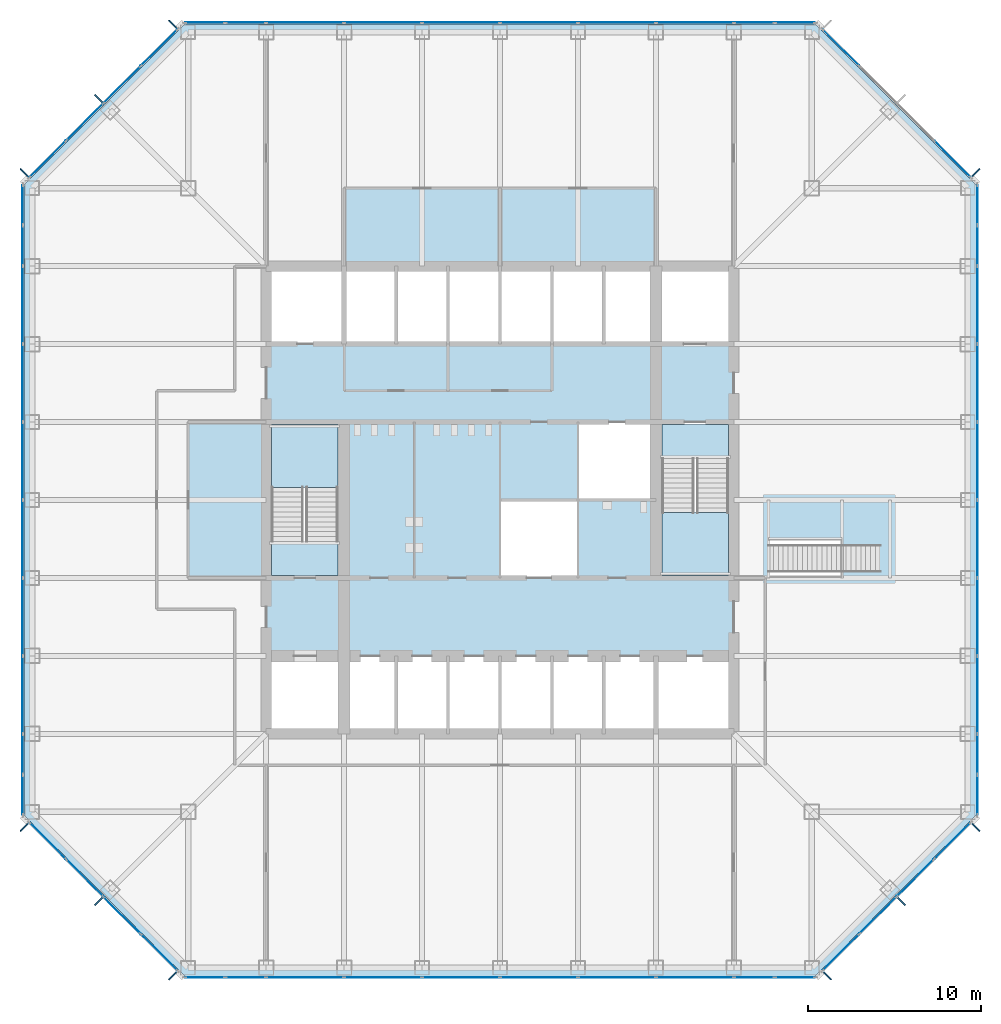
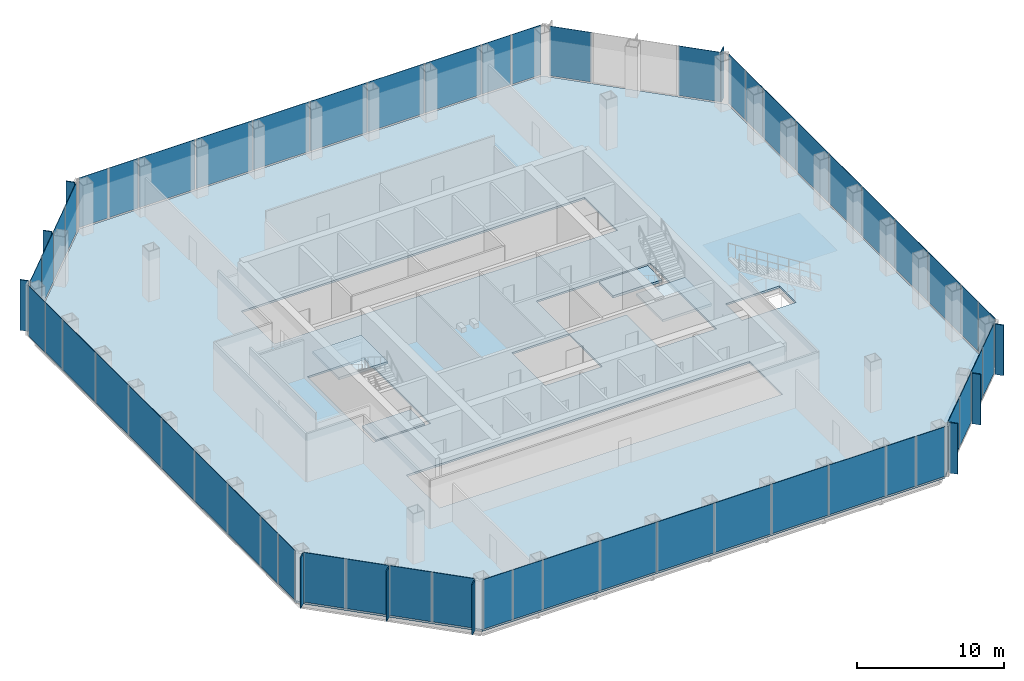
# One storey, part 7 of 12: 64 plates, 5 slabs, 10 elements without a shape of their own.
"""IFC4 building model written with IfcOpenShell, lengths in metres."""

from ifc_helpers import new_model, si_unit, direction, frame, origin, origin_2d, place, context, subcontext, project, spatial, polyline, rectangle, outline, extrude, material, layer, layer_set, type_object, element, aggregate, save


model = new_model("IFC4")

# Units and contexts
model_context = context("Model", 3, precision=1e-05, world=origin(), true_north=direction((0.0, 1.0)))
body_context = subcontext(model_context, "Body", "Model", "MODEL_VIEW")
ifc_project = project(units=[si_unit("LENGTHUNIT", "METRE"), si_unit("AREAUNIT", "SQUARE_METRE"), si_unit("VOLUMEUNIT", "CUBIC_METRE"), si_unit("PLANEANGLEUNIT", "RADIAN"), si_unit("MASSUNIT", "GRAM", prefix="KILO")], contexts=[model_context])

# Site, building, storey
site_placement = place(None, origin())
site = spatial("IfcSite", under=ifc_project, at=site_placement, CompositionType="ELEMENT")
building_placement = place(site_placement, origin())
building = spatial("IfcBuilding", under=site, at=building_placement, Name="Corais Broadcast Tower", CompositionType="ELEMENT")
storey_placement = place(building_placement, frame((0.0, 0.0, 37.39990234375)))
storey = spatial("IfcBuildingStorey", under=building, at=storey_placement, Name="L07", CompositionType="ELEMENT", Elevation=37.39990234375)

# Curtain wall, plates
ifc_material_1 = material(Name="Aluminium and glass", Category="aluminium")
curtain_wall_type = type_object("IfcCurtainWallType", Name="Newsroom clear-glass curtain wall CW7", PredefinedType="NOTDEFINED", material=ifc_material_1)
curtain_wall_1_placement = place(storey_placement, origin())
curtain_wall_1 = element("IfcCurtainWall", 1, at=curtain_wall_1_placement, inside=storey, type_object=curtain_wall_type, Name="CW7 curtain wall L07 1", PredefinedType="NOTDEFINED")
ifc_material_2 = material(Name="Clear low-iron laminated glass", Category="glass")
ifc_layer_1 = layer(ifc_material_2, 0.032958984375)
ifc_layer_set_1 = layer_set([ifc_layer_1], Name="Clear low-iron laminated glass")
plate_type_1 = type_object("IfcPlateType", Name="Clear glass panel CW7", PredefinedType="CURTAIN_PANEL", material=ifc_layer_set_1)
plate_1_placement = place(storey_placement, frame((7.330322265625, 0.891845703125, 0.06494140625), z_axis=(0.0, 0.0, 1.0), x_axis=(-0.707106781187, 0.707106781187, 0.0)))
plate_1 = element("IfcPlate", 2, at=plate_1_placement, type_object=plate_type_1, Name="CW7 panel 1", PredefinedType="CURTAIN_PANEL", context=body_context, shape_type="SweptSolid", body=[
    extrude(rectangle(XDim=2.9482421875, YDim=0.032958984375, at=origin_2d()), origin(), (0.0, 0.0, 1.0), 4.135009765625),
])
plate_2_placement = place(storey_placement, frame((3.0341796875, 5.18798828125, 0.06494140625), z_axis=(0.0, 0.0, 1.0), x_axis=(-0.707106781187, 0.707106781187, 0.0)))
plate_2 = element("IfcPlate", 3, at=plate_2_placement, type_object=plate_type_1, Name="CW7 panel 3", PredefinedType="CURTAIN_PANEL", context=body_context, shape_type="SweptSolid", body=[
    extrude(rectangle(XDim=2.98095703125, YDim=0.032958984375, at=origin_2d()), origin(), (0.0, 0.0, 1.0), 4.135009765625),
])

curtain_wall_2_placement = place(storey_placement, origin())
curtain_wall_2 = element("IfcCurtainWall", 4, at=curtain_wall_2_placement, inside=storey, type_object=curtain_wall_type, Name="CW7 curtain wall L07 2", PredefinedType="NOTDEFINED")
plate_3_placement = place(storey_placement, frame((-0.550048828125, 9.970458984375, 0.06494140625), z_axis=(0.0, 0.0, 1.0), x_axis=(0.0, 1.0, 0.0)))
plate_3 = element("IfcPlate", 5, at=plate_3_placement, type_object=plate_type_1, Name="CW7 panel 1", PredefinedType="CURTAIN_PANEL", context=body_context, shape_type="SweptSolid", body=[
    extrude(rectangle(XDim=2.266357421875, YDim=0.032958984375, at=origin_2d()), origin(), (0.0, 0.0, 1.0), 4.135009765625),
])
plate_4_placement = place(storey_placement, frame((-0.550048828125, 15.75, 0.06494140625), z_axis=(0.0, 0.0, 1.0), x_axis=(0.0, 1.0, 0.0)))
plate_4 = element("IfcPlate", 6, at=plate_4_placement, type_object=plate_type_1, Name="CW7 panel 3", PredefinedType="CURTAIN_PANEL", context=body_context, shape_type="SweptSolid", body=[
    extrude(rectangle(XDim=4.43505859375, YDim=0.032958984375, at=origin_2d()), origin(), (0.0, 0.0, 1.0), 4.135009765625),
])
plate_5_placement = place(storey_placement, frame((-0.550048828125, 24.75, 0.06494140625), z_axis=(0.0, 0.0, 1.0), x_axis=(0.0, 1.0, 0.0)))
plate_5 = element("IfcPlate", 7, at=plate_5_placement, type_object=plate_type_1, Name="CW7 panel 5", PredefinedType="CURTAIN_PANEL", context=body_context, shape_type="SweptSolid", body=[
    extrude(rectangle(XDim=4.43505859375, YDim=0.032958984375, at=origin_2d()), origin(), (0.0, 0.0, 1.0), 4.135009765625),
])
plate_6_placement = place(storey_placement, frame((-0.550048828125, 33.75, 0.06494140625), z_axis=(0.0, 0.0, 1.0), x_axis=(0.0, 1.0, 0.0)))
plate_6 = element("IfcPlate", 8, at=plate_6_placement, type_object=plate_type_1, Name="CW7 panel 7", PredefinedType="CURTAIN_PANEL", context=body_context, shape_type="SweptSolid", body=[
    extrude(rectangle(XDim=4.43505859375, YDim=0.032958984375, at=origin_2d()), origin(), (0.0, 0.0, 1.0), 4.135009765625),
])
plate_7_placement = place(storey_placement, frame((-0.550048828125, 41.681884765625, 0.06494140625), z_axis=(0.0, 0.0, 1.0), x_axis=(0.0, 1.0, 0.0)))
plate_7 = element("IfcPlate", 9, at=plate_7_placement, type_object=plate_type_1, Name="CW7 panel 9", PredefinedType="CURTAIN_PANEL", context=body_context, shape_type="SweptSolid", body=[
    extrude(rectangle(XDim=2.298828125, YDim=0.032958984375, at=origin_2d()), origin(), (0.0, 0.0, 1.0), 4.135009765625),
])

curtain_wall_3_placement = place(storey_placement, origin())
curtain_wall_3 = element("IfcCurtainWall", 10, at=curtain_wall_3_placement, inside=storey, type_object=curtain_wall_type, Name="CW7 curtain wall L07 3", PredefinedType="NOTDEFINED")
plate_8_placement = place(storey_placement, frame((0.891845703125, 46.669677734375, 0.06494140625), z_axis=(0.0, 0.0, 1.0), x_axis=(0.707106781187, 0.707106781187, 0.0)))
plate_8 = element("IfcPlate", 11, at=plate_8_placement, type_object=plate_type_1, Name="CW7 panel 1", PredefinedType="CURTAIN_PANEL", context=body_context, shape_type="SweptSolid", body=[
    extrude(rectangle(XDim=2.9482421875, YDim=0.032958984375, at=origin_2d()), origin(), (0.0, 0.0, 1.0), 4.135009765625),
])
plate_9_placement = place(storey_placement, frame((5.18798828125, 50.9658203125, 0.06494140625), z_axis=(0.0, 0.0, 1.0), x_axis=(0.707106781187, 0.707106781187, 0.0)))
plate_9 = element("IfcPlate", 12, at=plate_9_placement, type_object=plate_type_1, Name="CW7 panel 3", PredefinedType="CURTAIN_PANEL", context=body_context, shape_type="SweptSolid", body=[
    extrude(rectangle(XDim=2.98095703125, YDim=0.032958984375, at=origin_2d()), origin(), (0.0, 0.0, 1.0), 4.135009765625),
])

curtain_wall_4_placement = place(storey_placement, origin())
curtain_wall_4 = element("IfcCurtainWall", 13, at=curtain_wall_4_placement, inside=storey, type_object=curtain_wall_type, Name="CW7 curtain wall L07 4", PredefinedType="NOTDEFINED")
plate_10_placement = place(storey_placement, frame((9.970458984375, 54.550048828125, 0.06494140625), z_axis=(0.0, 0.0, 1.0), x_axis=(1.0, 0.0, 0.0)))
plate_10 = element("IfcPlate", 14, at=plate_10_placement, type_object=plate_type_1, Name="CW7 panel 1", PredefinedType="CURTAIN_PANEL", context=body_context, shape_type="SweptSolid", body=[
    extrude(rectangle(XDim=2.266357421875, YDim=0.032958984375, at=origin_2d()), origin(), (0.0, 0.0, 1.0), 4.135009765625),
])
plate_11_placement = place(storey_placement, frame((15.75, 54.550048828125, 0.06494140625), z_axis=(0.0, 0.0, 1.0), x_axis=(1.0, 0.0, 0.0)))
plate_11 = element("IfcPlate", 15, at=plate_11_placement, type_object=plate_type_1, Name="CW7 panel 3", PredefinedType="CURTAIN_PANEL", context=body_context, shape_type="SweptSolid", body=[
    extrude(rectangle(XDim=4.43505859375, YDim=0.032958984375, at=origin_2d()), origin(), (0.0, 0.0, 1.0), 4.135009765625),
])
plate_12_placement = place(storey_placement, frame((24.75, 54.550048828125, 0.06494140625), z_axis=(0.0, 0.0, 1.0), x_axis=(1.0, 0.0, 0.0)))
plate_12 = element("IfcPlate", 16, at=plate_12_placement, type_object=plate_type_1, Name="CW7 panel 5", PredefinedType="CURTAIN_PANEL", context=body_context, shape_type="SweptSolid", body=[
    extrude(rectangle(XDim=4.43505859375, YDim=0.032958984375, at=origin_2d()), origin(), (0.0, 0.0, 1.0), 4.135009765625),
])
plate_13_placement = place(storey_placement, frame((33.75, 54.550048828125, 0.06494140625), z_axis=(0.0, 0.0, 1.0), x_axis=(1.0, 0.0, 0.0)))
plate_13 = element("IfcPlate", 17, at=plate_13_placement, type_object=plate_type_1, Name="CW7 panel 7", PredefinedType="CURTAIN_PANEL", context=body_context, shape_type="SweptSolid", body=[
    extrude(rectangle(XDim=4.43505859375, YDim=0.032958984375, at=origin_2d()), origin(), (0.0, 0.0, 1.0), 4.135009765625),
])
plate_14_placement = place(storey_placement, frame((41.681884765625, 54.550048828125, 0.06494140625), z_axis=(0.0, 0.0, 1.0), x_axis=(1.0, 0.0, 0.0)))
plate_14 = element("IfcPlate", 18, at=plate_14_placement, type_object=plate_type_1, Name="CW7 panel 9", PredefinedType="CURTAIN_PANEL", context=body_context, shape_type="SweptSolid", body=[
    extrude(rectangle(XDim=2.298828125, YDim=0.032958984375, at=origin_2d()), origin(), (0.0, 0.0, 1.0), 4.135009765625),
])

# Curtain wall, plate
curtain_wall_5_placement = place(storey_placement, origin())
curtain_wall_5 = element("IfcCurtainWall", 19, at=curtain_wall_5_placement, inside=storey, type_object=curtain_wall_type, Name="CW7 curtain wall L07 5", PredefinedType="NOTDEFINED")
plate_15_placement = place(storey_placement, frame((46.669677734375, 53.108154296875, 0.06494140625), z_axis=(0.0, 0.0, 1.0), x_axis=(0.707106781187, -0.707106781187, 0.0)))
plate_15 = element("IfcPlate", 20, at=plate_15_placement, type_object=plate_type_1, Name="CW7 panel 1", PredefinedType="CURTAIN_PANEL", context=body_context, shape_type="SweptSolid", body=[
    extrude(rectangle(XDim=2.9482421875, YDim=0.032958984375, at=origin_2d()), origin(), (0.0, 0.0, 1.0), 4.135009765625),
])

# Curtain wall, plates
curtain_wall_6_placement = place(storey_placement, origin())
curtain_wall_6 = element("IfcCurtainWall", 21, at=curtain_wall_6_placement, inside=storey, type_object=curtain_wall_type, Name="CW7 curtain wall L07 6", PredefinedType="NOTDEFINED")
plate_16_placement = place(storey_placement, frame((54.550048828125, 44.029541015625, 0.06494140625), z_axis=(0.0, 0.0, 1.0), x_axis=(0.0, -1.0, 0.0)))
plate_16 = element("IfcPlate", 22, at=plate_16_placement, type_object=plate_type_1, Name="CW7 panel 1", PredefinedType="CURTAIN_PANEL", context=body_context, shape_type="SweptSolid", body=[
    extrude(rectangle(XDim=2.266357421875, YDim=0.032958984375, at=origin_2d()), origin(), (0.0, 0.0, 1.0), 4.135009765625),
])
plate_17_placement = place(storey_placement, frame((54.550048828125, 38.25, 0.06494140625), z_axis=(0.0, 0.0, 1.0), x_axis=(0.0, -1.0, 0.0)))
plate_17 = element("IfcPlate", 23, at=plate_17_placement, type_object=plate_type_1, Name="CW7 panel 3", PredefinedType="CURTAIN_PANEL", context=body_context, shape_type="SweptSolid", body=[
    extrude(rectangle(XDim=4.43505859375, YDim=0.032958984375, at=origin_2d()), origin(), (0.0, 0.0, 1.0), 4.135009765625),
])
plate_18_placement = place(storey_placement, frame((54.550048828125, 29.25, 0.06494140625), z_axis=(0.0, 0.0, 1.0), x_axis=(0.0, -1.0, 0.0)))
plate_18 = element("IfcPlate", 24, at=plate_18_placement, type_object=plate_type_1, Name="CW7 panel 5", PredefinedType="CURTAIN_PANEL", context=body_context, shape_type="SweptSolid", body=[
    extrude(rectangle(XDim=4.43505859375, YDim=0.032958984375, at=origin_2d()), origin(), (0.0, 0.0, 1.0), 4.135009765625),
])
plate_19_placement = place(storey_placement, frame((54.550048828125, 20.25, 0.06494140625), z_axis=(0.0, 0.0, 1.0), x_axis=(0.0, -1.0, 0.0)))
plate_19 = element("IfcPlate", 25, at=plate_19_placement, type_object=plate_type_1, Name="CW7 panel 7", PredefinedType="CURTAIN_PANEL", context=body_context, shape_type="SweptSolid", body=[
    extrude(rectangle(XDim=4.43505859375, YDim=0.032958984375, at=origin_2d()), origin(), (0.0, 0.0, 1.0), 4.135009765625),
])
plate_20_placement = place(storey_placement, frame((54.550048828125, 12.318115234375, 0.06494140625), z_axis=(0.0, 0.0, 1.0), x_axis=(0.0, -1.0, 0.0)))
plate_20 = element("IfcPlate", 26, at=plate_20_placement, type_object=plate_type_1, Name="CW7 panel 9", PredefinedType="CURTAIN_PANEL", context=body_context, shape_type="SweptSolid", body=[
    extrude(rectangle(XDim=2.298828125, YDim=0.032958984375, at=origin_2d()), origin(), (0.0, 0.0, 1.0), 4.135009765625),
])

curtain_wall_7_placement = place(storey_placement, origin())
curtain_wall_7 = element("IfcCurtainWall", 27, at=curtain_wall_7_placement, inside=storey, type_object=curtain_wall_type, Name="CW7 curtain wall L07 7", PredefinedType="NOTDEFINED")
plate_21_placement = place(storey_placement, frame((53.108154296875, 7.330322265625, 0.06494140625), z_axis=(0.0, 0.0, 1.0), x_axis=(-0.707106781187, -0.707106781187, 0.0)))
plate_21 = element("IfcPlate", 28, at=plate_21_placement, type_object=plate_type_1, Name="CW7 panel 1", PredefinedType="CURTAIN_PANEL", context=body_context, shape_type="SweptSolid", body=[
    extrude(rectangle(XDim=2.9482421875, YDim=0.032958984375, at=origin_2d()), origin(), (0.0, 0.0, 1.0), 4.135009765625),
])
plate_22_placement = place(storey_placement, frame((48.81201171875, 3.0341796875, 0.06494140625), z_axis=(0.0, 0.0, 1.0), x_axis=(-0.707106781187, -0.707106781187, 0.0)))
plate_22 = element("IfcPlate", 29, at=plate_22_placement, type_object=plate_type_1, Name="CW7 panel 3", PredefinedType="CURTAIN_PANEL", context=body_context, shape_type="SweptSolid", body=[
    extrude(rectangle(XDim=2.98095703125, YDim=0.032958984375, at=origin_2d()), origin(), (0.0, 0.0, 1.0), 4.135009765625),
])

curtain_wall_8_placement = place(storey_placement, origin())
curtain_wall_8 = element("IfcCurtainWall", 30, at=curtain_wall_8_placement, inside=storey, type_object=curtain_wall_type, Name="CW7 curtain wall L07 8", PredefinedType="NOTDEFINED")
plate_23_placement = place(storey_placement, frame((44.029541015625, -0.550048828125, 0.06494140625), z_axis=(0.0, 0.0, 1.0), x_axis=(-1.0, 0.0, 0.0)))
plate_23 = element("IfcPlate", 31, at=plate_23_placement, type_object=plate_type_1, Name="CW7 panel 1", PredefinedType="CURTAIN_PANEL", context=body_context, shape_type="SweptSolid", body=[
    extrude(rectangle(XDim=2.266357421875, YDim=0.032958984375, at=origin_2d()), origin(), (0.0, 0.0, 1.0), 4.135009765625),
])
plate_24_placement = place(storey_placement, frame((38.25, -0.550048828125, 0.06494140625), z_axis=(0.0, 0.0, 1.0), x_axis=(-1.0, 0.0, 0.0)))
plate_24 = element("IfcPlate", 32, at=plate_24_placement, type_object=plate_type_1, Name="CW7 panel 3", PredefinedType="CURTAIN_PANEL", context=body_context, shape_type="SweptSolid", body=[
    extrude(rectangle(XDim=4.43505859375, YDim=0.032958984375, at=origin_2d()), origin(), (0.0, 0.0, 1.0), 4.135009765625),
])
plate_25_placement = place(storey_placement, frame((29.25, -0.550048828125, 0.06494140625), z_axis=(0.0, 0.0, 1.0), x_axis=(-1.0, 0.0, 0.0)))
plate_25 = element("IfcPlate", 33, at=plate_25_placement, type_object=plate_type_1, Name="CW7 panel 5", PredefinedType="CURTAIN_PANEL", context=body_context, shape_type="SweptSolid", body=[
    extrude(rectangle(XDim=4.43505859375, YDim=0.032958984375, at=origin_2d()), origin(), (0.0, 0.0, 1.0), 4.135009765625),
])
plate_26_placement = place(storey_placement, frame((20.25, -0.550048828125, 0.06494140625), z_axis=(0.0, 0.0, 1.0), x_axis=(-1.0, 0.0, 0.0)))
plate_26 = element("IfcPlate", 34, at=plate_26_placement, type_object=plate_type_1, Name="CW7 panel 7", PredefinedType="CURTAIN_PANEL", context=body_context, shape_type="SweptSolid", body=[
    extrude(rectangle(XDim=4.43505859375, YDim=0.032958984375, at=origin_2d()), origin(), (0.0, 0.0, 1.0), 4.135009765625),
])
plate_27_placement = place(storey_placement, frame((12.318115234375, -0.550048828125, 0.06494140625), z_axis=(0.0, 0.0, 1.0), x_axis=(-1.0, 0.0, 0.0)))
plate_27 = element("IfcPlate", 35, at=plate_27_placement, type_object=plate_type_1, Name="CW7 panel 9", PredefinedType="CURTAIN_PANEL", context=body_context, shape_type="SweptSolid", body=[
    extrude(rectangle(XDim=2.298828125, YDim=0.032958984375, at=origin_2d()), origin(), (0.0, 0.0, 1.0), 4.135009765625),
])

# Slab
ifc_material_3 = material(Name="Concrete C30/37", Category="concrete")
ifc_layer_2 = layer(ifc_material_3, 0.159912109375)
ifc_layer_set_2 = layer_set([ifc_layer_2], Name="Concrete C30/37")
slab_type_1 = type_object("IfcSlabType", Name="Composite floor slab 160", PredefinedType="FLOOR", material=ifc_layer_set_2)
slab_1_placement = place(storey_placement, frame((0.0, 0.0, -0.159912109375)))
element("IfcSlab", 36, at=slab_1_placement, inside=storey, type_object=slab_type_1, Name="S160 floor slab L07", PredefinedType="FLOOR", context=body_context, shape_type="SweptSolid", body=[
    extrude(outline(polyline([(8.80126953125, -0.47998046875), (-0.47998046875, 8.80126953125), (-0.47998046875, 45.19873046875), (8.80126953125, 54.47998046875), (45.19873046875, 54.47998046875), (54.47998046875, 45.19873046875), (54.47998046875, 8.80126953125), (45.19873046875, -0.47998046875), (8.80126953125, -0.47998046875)]), holes=[polyline([(13.5, 18.0), (40.5, 18.0), (40.5, 13.5), (13.5, 13.5), (13.5, 18.0)]), polyline([(18.0, 22.5), (13.5, 22.5), (13.5, 31.5), (18.0, 31.5), (18.0, 22.5)]), polyline([(13.5, 40.5), (40.5, 40.5), (40.5, 36.0), (13.5, 36.0), (13.5, 40.5)]), polyline([(31.5, 22.5), (27.0, 22.5), (27.0, 27.0), (31.4951171875, 27.0), (31.4951171875, 27.0048828125), (31.5, 27.0048828125), (31.5, 31.5), (40.5, 31.5), (40.5, 22.5), (36.0, 22.5), (36.0, 27.0), (31.5048828125, 27.0), (31.5048828125, 26.9951171875), (31.5, 26.9951171875), (31.5, 22.5)]), polyline([(42.5, 22.5), (42.5, 24.75), (46.75, 24.75), (46.75, 22.5), (42.5, 22.5)])]), origin(), (0.0, 0.0, 1.0), 0.159912109375),
])

# Plate
ifc_material_4 = material(Name="Clear laminated glass", Category="glass")
ifc_layer_3 = layer(ifc_material_4, 0.037109375)
ifc_layer_set_3 = layer_set([ifc_layer_3], Name="Clear laminated glass")
plate_type_2 = type_object("IfcPlateType", Name="Operable glass panel CW7", PredefinedType="CURTAIN_PANEL", material=ifc_layer_set_3)
plate_28_placement = place(storey_placement, frame((5.18798828125, 3.0341796875, 0.06494140625), z_axis=(0.0, 0.0, 1.0), x_axis=(-0.707106781187, 0.707106781187, 0.0)))
plate_28 = element("IfcPlate", 37, at=plate_28_placement, type_object=plate_type_2, Name="CW7 operable panel 2", PredefinedType="CURTAIN_PANEL", context=body_context, shape_type="SweptSolid", body=[
    extrude(rectangle(XDim=2.98095703125, YDim=0.037109375, at=origin_2d()), origin(), (0.0, 0.0, 1.0), 4.135009765625),
])

plate_29_placement = place(storey_placement, frame((0.89208984375, 7.330322265625, 0.06494140625), z_axis=(0.0, 0.0, 1.0), x_axis=(-0.707106781187, 0.707106781187, 0.0)))
plate_29 = element("IfcPlate", 38, at=plate_29_placement, type_object=plate_type_2, Name="CW7 operable panel 4", PredefinedType="CURTAIN_PANEL", context=body_context, shape_type="SweptSolid", body=[
    extrude(rectangle(XDim=2.948486328125, YDim=0.037109375, at=origin_2d()), origin(), (0.0, 0.0, 1.0), 4.135009765625),
])

aggregate(curtain_wall_1, [plate_1, plate_28, plate_2, plate_29])

plate_30_placement = place(storey_placement, frame((-0.550048828125, 12.318115234375, 0.06494140625), z_axis=(0.0, 0.0, 1.0), x_axis=(0.0, 1.0, 0.0)))
plate_30 = element("IfcPlate", 39, at=plate_30_placement, type_object=plate_type_2, Name="CW7 operable panel 2", PredefinedType="CURTAIN_PANEL", context=body_context, shape_type="SweptSolid", body=[
    extrude(rectangle(XDim=2.298828125, YDim=0.037109375, at=origin_2d()), origin(), (0.0, 0.0, 1.0), 4.135009765625),
])

plate_31_placement = place(storey_placement, frame((-0.550048828125, 20.25, 0.06494140625), z_axis=(0.0, 0.0, 1.0), x_axis=(0.0, 1.0, 0.0)))
plate_31 = element("IfcPlate", 40, at=plate_31_placement, type_object=plate_type_2, Name="CW7 operable panel 4", PredefinedType="CURTAIN_PANEL", context=body_context, shape_type="SweptSolid", body=[
    extrude(rectangle(XDim=4.43505859375, YDim=0.037109375, at=origin_2d()), origin(), (0.0, 0.0, 1.0), 4.135009765625),
])

plate_32_placement = place(storey_placement, frame((-0.550048828125, 29.25, 0.06494140625), z_axis=(0.0, 0.0, 1.0), x_axis=(0.0, 1.0, 0.0)))
plate_32 = element("IfcPlate", 41, at=plate_32_placement, type_object=plate_type_2, Name="CW7 operable panel 6", PredefinedType="CURTAIN_PANEL", context=body_context, shape_type="SweptSolid", body=[
    extrude(rectangle(XDim=4.43505859375, YDim=0.037109375, at=origin_2d()), origin(), (0.0, 0.0, 1.0), 4.135009765625),
])

plate_33_placement = place(storey_placement, frame((-0.550048828125, 38.25, 0.06494140625), z_axis=(0.0, 0.0, 1.0), x_axis=(0.0, 1.0, 0.0)))
plate_33 = element("IfcPlate", 42, at=plate_33_placement, type_object=plate_type_2, Name="CW7 operable panel 8", PredefinedType="CURTAIN_PANEL", context=body_context, shape_type="SweptSolid", body=[
    extrude(rectangle(XDim=4.43505859375, YDim=0.037109375, at=origin_2d()), origin(), (0.0, 0.0, 1.0), 4.135009765625),
])

plate_34_placement = place(storey_placement, frame((-0.550048828125, 44.029541015625, 0.06494140625), z_axis=(0.0, 0.0, 1.0), x_axis=(0.0, 1.0, 0.0)))
plate_34 = element("IfcPlate", 43, at=plate_34_placement, type_object=plate_type_2, Name="CW7 operable panel 10", PredefinedType="CURTAIN_PANEL", context=body_context, shape_type="SweptSolid", body=[
    extrude(rectangle(XDim=2.266357421875, YDim=0.037109375, at=origin_2d()), origin(), (0.0, 0.0, 1.0), 4.135009765625),
])

aggregate(curtain_wall_2, [plate_3, plate_30, plate_4, plate_31, plate_5, plate_32, plate_6, plate_33, plate_7, plate_34])

plate_35_placement = place(storey_placement, frame((3.0341796875, 48.81201171875, 0.06494140625), z_axis=(0.0, 0.0, 1.0), x_axis=(0.707106781187, 0.707106781187, 0.0)))
plate_35 = element("IfcPlate", 44, at=plate_35_placement, type_object=plate_type_2, Name="CW7 operable panel 2", PredefinedType="CURTAIN_PANEL", context=body_context, shape_type="SweptSolid", body=[
    extrude(rectangle(XDim=2.98095703125, YDim=0.037109375, at=origin_2d()), origin(), (0.0, 0.0, 1.0), 4.135009765625),
])

plate_36_placement = place(storey_placement, frame((7.330322265625, 53.10791015625, 0.06494140625), z_axis=(0.0, 0.0, 1.0), x_axis=(0.707106781187, 0.707106781187, 0.0)))
plate_36 = element("IfcPlate", 45, at=plate_36_placement, type_object=plate_type_2, Name="CW7 operable panel 4", PredefinedType="CURTAIN_PANEL", context=body_context, shape_type="SweptSolid", body=[
    extrude(rectangle(XDim=2.948486328125, YDim=0.037109375, at=origin_2d()), origin(), (0.0, 0.0, 1.0), 4.135009765625),
])

aggregate(curtain_wall_3, [plate_8, plate_35, plate_9, plate_36])

plate_37_placement = place(storey_placement, frame((12.318115234375, 54.550048828125, 0.06494140625), z_axis=(0.0, 0.0, 1.0), x_axis=(1.0, 0.0, 0.0)))
plate_37 = element("IfcPlate", 46, at=plate_37_placement, type_object=plate_type_2, Name="CW7 operable panel 2", PredefinedType="CURTAIN_PANEL", context=body_context, shape_type="SweptSolid", body=[
    extrude(rectangle(XDim=2.298828125, YDim=0.037109375, at=origin_2d()), origin(), (0.0, 0.0, 1.0), 4.135009765625),
])

plate_38_placement = place(storey_placement, frame((20.25, 54.550048828125, 0.06494140625), z_axis=(0.0, 0.0, 1.0), x_axis=(1.0, 0.0, 0.0)))
plate_38 = element("IfcPlate", 47, at=plate_38_placement, type_object=plate_type_2, Name="CW7 operable panel 4", PredefinedType="CURTAIN_PANEL", context=body_context, shape_type="SweptSolid", body=[
    extrude(rectangle(XDim=4.43505859375, YDim=0.037109375, at=origin_2d()), origin(), (0.0, 0.0, 1.0), 4.135009765625),
])

plate_39_placement = place(storey_placement, frame((29.25, 54.550048828125, 0.06494140625), z_axis=(0.0, 0.0, 1.0), x_axis=(1.0, 0.0, 0.0)))
plate_39 = element("IfcPlate", 48, at=plate_39_placement, type_object=plate_type_2, Name="CW7 operable panel 6", PredefinedType="CURTAIN_PANEL", context=body_context, shape_type="SweptSolid", body=[
    extrude(rectangle(XDim=4.43505859375, YDim=0.037109375, at=origin_2d()), origin(), (0.0, 0.0, 1.0), 4.135009765625),
])

plate_40_placement = place(storey_placement, frame((38.25, 54.550048828125, 0.06494140625), z_axis=(0.0, 0.0, 1.0), x_axis=(1.0, 0.0, 0.0)))
plate_40 = element("IfcPlate", 49, at=plate_40_placement, type_object=plate_type_2, Name="CW7 operable panel 8", PredefinedType="CURTAIN_PANEL", context=body_context, shape_type="SweptSolid", body=[
    extrude(rectangle(XDim=4.43505859375, YDim=0.037109375, at=origin_2d()), origin(), (0.0, 0.0, 1.0), 4.135009765625),
])

plate_41_placement = place(storey_placement, frame((44.029541015625, 54.550048828125, 0.06494140625), z_axis=(0.0, 0.0, 1.0), x_axis=(1.0, 0.0, 0.0)))
plate_41 = element("IfcPlate", 50, at=plate_41_placement, type_object=plate_type_2, Name="CW7 operable panel 10", PredefinedType="CURTAIN_PANEL", context=body_context, shape_type="SweptSolid", body=[
    extrude(rectangle(XDim=2.266357421875, YDim=0.037109375, at=origin_2d()), origin(), (0.0, 0.0, 1.0), 4.135009765625),
])

aggregate(curtain_wall_4, [plate_10, plate_37, plate_11, plate_38, plate_12, plate_39, plate_13, plate_40, plate_14, plate_41])

plate_42_placement = place(storey_placement, frame((53.10791015625, 46.669677734375, 0.06494140625), z_axis=(0.0, 0.0, 1.0), x_axis=(0.707106781187, -0.707106781187, 0.0)))
plate_42 = element("IfcPlate", 51, at=plate_42_placement, type_object=plate_type_2, Name="CW7 operable panel 4", PredefinedType="CURTAIN_PANEL", context=body_context, shape_type="SweptSolid", body=[
    extrude(rectangle(XDim=2.948486328125, YDim=0.037109375, at=origin_2d()), origin(), (0.0, 0.0, 1.0), 4.135009765625),
])

aggregate(curtain_wall_5, [plate_15, plate_42])

plate_43_placement = place(storey_placement, frame((54.550048828125, 41.681884765625, 0.06494140625), z_axis=(0.0, 0.0, 1.0), x_axis=(0.0, -1.0, 0.0)))
plate_43 = element("IfcPlate", 52, at=plate_43_placement, type_object=plate_type_2, Name="CW7 operable panel 2", PredefinedType="CURTAIN_PANEL", context=body_context, shape_type="SweptSolid", body=[
    extrude(rectangle(XDim=2.298828125, YDim=0.037109375, at=origin_2d()), origin(), (0.0, 0.0, 1.0), 4.135009765625),
])

plate_44_placement = place(storey_placement, frame((54.550048828125, 33.75, 0.06494140625), z_axis=(0.0, 0.0, 1.0), x_axis=(0.0, -1.0, 0.0)))
plate_44 = element("IfcPlate", 53, at=plate_44_placement, type_object=plate_type_2, Name="CW7 operable panel 4", PredefinedType="CURTAIN_PANEL", context=body_context, shape_type="SweptSolid", body=[
    extrude(rectangle(XDim=4.43505859375, YDim=0.037109375, at=origin_2d()), origin(), (0.0, 0.0, 1.0), 4.135009765625),
])

plate_45_placement = place(storey_placement, frame((54.550048828125, 24.75, 0.06494140625), z_axis=(0.0, 0.0, 1.0), x_axis=(0.0, -1.0, 0.0)))
plate_45 = element("IfcPlate", 54, at=plate_45_placement, type_object=plate_type_2, Name="CW7 operable panel 6", PredefinedType="CURTAIN_PANEL", context=body_context, shape_type="SweptSolid", body=[
    extrude(rectangle(XDim=4.43505859375, YDim=0.037109375, at=origin_2d()), origin(), (0.0, 0.0, 1.0), 4.135009765625),
])

plate_46_placement = place(storey_placement, frame((54.550048828125, 15.75, 0.06494140625), z_axis=(0.0, 0.0, 1.0), x_axis=(0.0, -1.0, 0.0)))
plate_46 = element("IfcPlate", 55, at=plate_46_placement, type_object=plate_type_2, Name="CW7 operable panel 8", PredefinedType="CURTAIN_PANEL", context=body_context, shape_type="SweptSolid", body=[
    extrude(rectangle(XDim=4.43505859375, YDim=0.037109375, at=origin_2d()), origin(), (0.0, 0.0, 1.0), 4.135009765625),
])

plate_47_placement = place(storey_placement, frame((54.550048828125, 9.970458984375, 0.06494140625), z_axis=(0.0, 0.0, 1.0), x_axis=(0.0, -1.0, 0.0)))
plate_47 = element("IfcPlate", 56, at=plate_47_placement, type_object=plate_type_2, Name="CW7 operable panel 10", PredefinedType="CURTAIN_PANEL", context=body_context, shape_type="SweptSolid", body=[
    extrude(rectangle(XDim=2.266357421875, YDim=0.037109375, at=origin_2d()), origin(), (0.0, 0.0, 1.0), 4.135009765625),
])

aggregate(curtain_wall_6, [plate_16, plate_43, plate_17, plate_44, plate_18, plate_45, plate_19, plate_46, plate_20, plate_47])

plate_48_placement = place(storey_placement, frame((50.9658203125, 5.18798828125, 0.06494140625), z_axis=(0.0, 0.0, 1.0), x_axis=(-0.707106781187, -0.707106781187, 0.0)))
plate_48 = element("IfcPlate", 57, at=plate_48_placement, type_object=plate_type_2, Name="CW7 operable panel 2", PredefinedType="CURTAIN_PANEL", context=body_context, shape_type="SweptSolid", body=[
    extrude(rectangle(XDim=2.98095703125, YDim=0.037109375, at=origin_2d()), origin(), (0.0, 0.0, 1.0), 4.135009765625),
])

plate_49_placement = place(storey_placement, frame((46.669677734375, 0.89208984375, 0.06494140625), z_axis=(0.0, 0.0, 1.0), x_axis=(-0.707106781187, -0.707106781187, 0.0)))
plate_49 = element("IfcPlate", 58, at=plate_49_placement, type_object=plate_type_2, Name="CW7 operable panel 4", PredefinedType="CURTAIN_PANEL", context=body_context, shape_type="SweptSolid", body=[
    extrude(rectangle(XDim=2.948486328125, YDim=0.037109375, at=origin_2d()), origin(), (0.0, 0.0, 1.0), 4.135009765625),
])

aggregate(curtain_wall_7, [plate_21, plate_48, plate_22, plate_49])

plate_50_placement = place(storey_placement, frame((41.681884765625, -0.550048828125, 0.06494140625), z_axis=(0.0, 0.0, 1.0), x_axis=(-1.0, 0.0, 0.0)))
plate_50 = element("IfcPlate", 59, at=plate_50_placement, type_object=plate_type_2, Name="CW7 operable panel 2", PredefinedType="CURTAIN_PANEL", context=body_context, shape_type="SweptSolid", body=[
    extrude(rectangle(XDim=2.298828125, YDim=0.037109375, at=origin_2d()), origin(), (0.0, 0.0, 1.0), 4.135009765625),
])

plate_51_placement = place(storey_placement, frame((33.75, -0.550048828125, 0.06494140625), z_axis=(0.0, 0.0, 1.0), x_axis=(-1.0, 0.0, 0.0)))
plate_51 = element("IfcPlate", 60, at=plate_51_placement, type_object=plate_type_2, Name="CW7 operable panel 4", PredefinedType="CURTAIN_PANEL", context=body_context, shape_type="SweptSolid", body=[
    extrude(rectangle(XDim=4.43505859375, YDim=0.037109375, at=origin_2d()), origin(), (0.0, 0.0, 1.0), 4.135009765625),
])

plate_52_placement = place(storey_placement, frame((24.75, -0.550048828125, 0.06494140625), z_axis=(0.0, 0.0, 1.0), x_axis=(-1.0, 0.0, 0.0)))
plate_52 = element("IfcPlate", 61, at=plate_52_placement, type_object=plate_type_2, Name="CW7 operable panel 6", PredefinedType="CURTAIN_PANEL", context=body_context, shape_type="SweptSolid", body=[
    extrude(rectangle(XDim=4.43505859375, YDim=0.037109375, at=origin_2d()), origin(), (0.0, 0.0, 1.0), 4.135009765625),
])

plate_53_placement = place(storey_placement, frame((15.75, -0.550048828125, 0.06494140625), z_axis=(0.0, 0.0, 1.0), x_axis=(-1.0, 0.0, 0.0)))
plate_53 = element("IfcPlate", 62, at=plate_53_placement, type_object=plate_type_2, Name="CW7 operable panel 8", PredefinedType="CURTAIN_PANEL", context=body_context, shape_type="SweptSolid", body=[
    extrude(rectangle(XDim=4.43505859375, YDim=0.037109375, at=origin_2d()), origin(), (0.0, 0.0, 1.0), 4.135009765625),
])

plate_54_placement = place(storey_placement, frame((9.970458984375, -0.550048828125, 0.06494140625), z_axis=(0.0, 0.0, 1.0), x_axis=(-1.0, 0.0, 0.0)))
plate_54 = element("IfcPlate", 63, at=plate_54_placement, type_object=plate_type_2, Name="CW7 operable panel 10", PredefinedType="CURTAIN_PANEL", context=body_context, shape_type="SweptSolid", body=[
    extrude(rectangle(XDim=2.266357421875, YDim=0.037109375, at=origin_2d()), origin(), (0.0, 0.0, 1.0), 4.135009765625),
])

aggregate(curtain_wall_8, [plate_23, plate_50, plate_24, plate_51, plate_25, plate_52, plate_26, plate_53, plate_27, plate_54])

# Stair, slabs
ifc_material_5 = material(Name="Concrete C30/37", Category="concrete")
stair_type = type_object("IfcStairType", Name="Half-turn stair 4200", PredefinedType="HALF_TURN_STAIR", material=ifc_material_5)
stair_1_placement = place(storey_placement, origin())
stair_1 = element("IfcStair", 64, at=stair_1_placement, inside=storey, type_object=stair_type, Name="Stair A L07", PredefinedType="HALF_TURN_STAIR")
ifc_material_6 = material(Name="Concrete C30/37", Category="concrete")
ifc_layer_4 = layer(ifc_material_6, 0.199951171875)
ifc_layer_set_4 = layer_set([ifc_layer_4], Name="Concrete C30/37")
slab_type_2 = type_object("IfcSlabType", Name="Stair landing 200", PredefinedType="LANDING", material=ifc_layer_set_4)
slab_2_placement = place(storey_placement, frame((0.0, 0.0, -0.199951171875)))
slab_2 = element("IfcSlab", 65, at=slab_2_placement, type_object=slab_type_2, Name="STA landing 1", PredefinedType="LANDING", context=body_context, shape_type="SweptSolid", body=[
    extrude(outline(polyline([(13.800048828125, 22.64990234375), (17.64990234375, 22.64990234375), (17.64990234375, 24.60009765625), (13.800048828125, 24.60009765625), (13.800048828125, 22.64990234375)])), origin(), (0.0, 0.0, 1.0), 0.199951171875),
])
slab_3_placement = place(storey_placement, frame((0.0, 0.0, 1.900146484375)))
slab_3 = element("IfcSlab", 66, at=slab_3_placement, type_object=slab_type_2, Name="STA landing 2", PredefinedType="LANDING", context=body_context, shape_type="SweptSolid", body=[
    extrude(outline(polyline([(13.800048828125, 27.735107421875), (17.64990234375, 27.735107421875), (17.64990234375, 31.35009765625), (13.800048828125, 31.35009765625), (13.800048828125, 27.735107421875)])), origin(), (0.0, 0.0, 1.0), 0.199951171875),
])
aggregate(stair_1, [slab_2, slab_3])

stair_2_placement = place(storey_placement, origin())
stair_2 = element("IfcStair", 67, at=stair_2_placement, inside=storey, type_object=stair_type, Name="Stair B L07", PredefinedType="HALF_TURN_STAIR")
slab_4_placement = place(storey_placement, frame((0.0, 0.0, -0.199951171875)))
slab_4 = element("IfcSlab", 68, at=slab_4_placement, type_object=slab_type_2, Name="STB landing 1", PredefinedType="LANDING", context=body_context, shape_type="SweptSolid", body=[
    extrude(outline(polyline([(36.35009765625, 29.39990234375), (40.199951171875, 29.39990234375), (40.199951171875, 31.35009765625), (36.35009765625, 31.35009765625), (36.35009765625, 29.39990234375)])), origin(), (0.0, 0.0, 1.0), 0.199951171875),
])
slab_5_placement = place(storey_placement, frame((0.0, 0.0, 1.900146484375)))
slab_5 = element("IfcSlab", 69, at=slab_5_placement, type_object=slab_type_2, Name="STB landing 2", PredefinedType="LANDING", context=body_context, shape_type="SweptSolid", body=[
    extrude(outline(polyline([(36.35009765625, 22.64990234375), (40.199951171875, 22.64990234375), (40.199951171875, 26.264892578125), (36.35009765625, 26.264892578125), (36.35009765625, 22.64990234375)])), origin(), (0.0, 0.0, 1.0), 0.199951171875),
])
aggregate(stair_2, [slab_4, slab_5])

# Plates
ifc_material_7 = material(Name="Granite stone cladding", Category="masonry")
ifc_layer_5 = layer(ifc_material_7, 0.080078125)
ifc_layer_set_5 = layer_set([ifc_layer_5], Name="Granite stone cladding")
plate_type_3 = type_object("IfcPlateType", Name="Stone screen fin 80x600", PredefinedType="USERDEFINED", material=ifc_layer_set_5)
for number, where, z_axis, x_axis, name in (
    (70, (8.10791015625, -0.461181640625, 0.0), (0.0, 0.0, 1.0), (-0.707106781187, 0.707106781187, 0.0), "SF1 stone screen fin L07"),
    (71, (3.8232421875, 3.8232421875, 0.0), (0.0, 0.0, 1.0), (-0.707106781187, 0.707106781187, 0.0), "SF1 stone screen fin L07"),
    (72, (-0.461181640625, 8.10791015625, 0.0), (0.0, 0.0, 1.0), (-0.707106781187, 0.707106781187, 0.0), "SF1 stone screen fin L07"),
    (73, (-0.461181640625, 45.89208984375, 0.0), (0.0, 0.0, 1.0), (0.707106781187, 0.707106781187, 0.0), "SF1 stone screen fin L07"),
    (74, (3.8232421875, 50.1767578125, 0.0), (0.0, 0.0, 1.0), (0.707106781187, 0.707106781187, 0.0), "SF1 stone screen fin L07"),
    (75, (8.10791015625, 54.461181640625, 0.0), (0.0, 0.0, 1.0), (0.707106781187, 0.707106781187, 0.0), "SF1 stone screen fin L07"),
    (76, (54.461181640625, 45.89208984375, 0.0), (0.0, 0.0, 1.0), (0.707106781187, -0.707106781187, 0.0), "SF1 stone screen fin L07"),
    (77, (54.461181640625, 8.10791015625, 0.0), (0.0, 0.0, 1.0), (-0.707106781187, -0.707106781187, 0.0), "SF1 stone screen fin L07"),
    (78, (50.1767578125, 3.8232421875, 0.0), (0.0, 0.0, 1.0), (-0.707106781187, -0.707106781187, 0.0), "SF1 stone screen fin L07"),
    (79, (45.89208984375, -0.461181640625, 0.0), (0.0, 0.0, 1.0), (-0.707106781187, -0.707106781187, 0.0), "SF1 stone screen fin L07"),
):
    element("IfcPlate", number, at=place(storey_placement, frame(where, z_axis=z_axis, x_axis=x_axis)), inside=storey, type_object=plate_type_3, Name=name, ObjectType="STONE SCREEN FIN", PredefinedType="USERDEFINED", context=body_context, shape_type="SweptSolid", body=[
        extrude(rectangle(XDim=0.080078125, YDim=0.60009765625, at=origin_2d()), origin(), (0.0, 0.0, 1.0), 4.199951171875),
    ])

save(model, "model.ifc")
